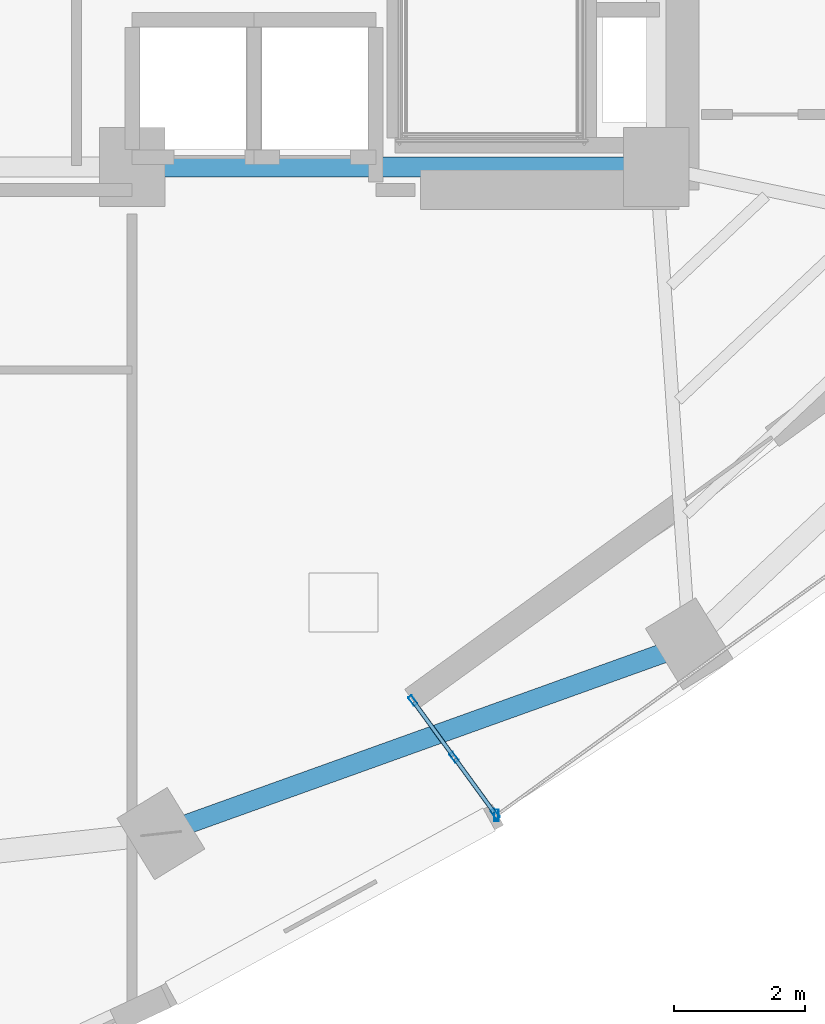
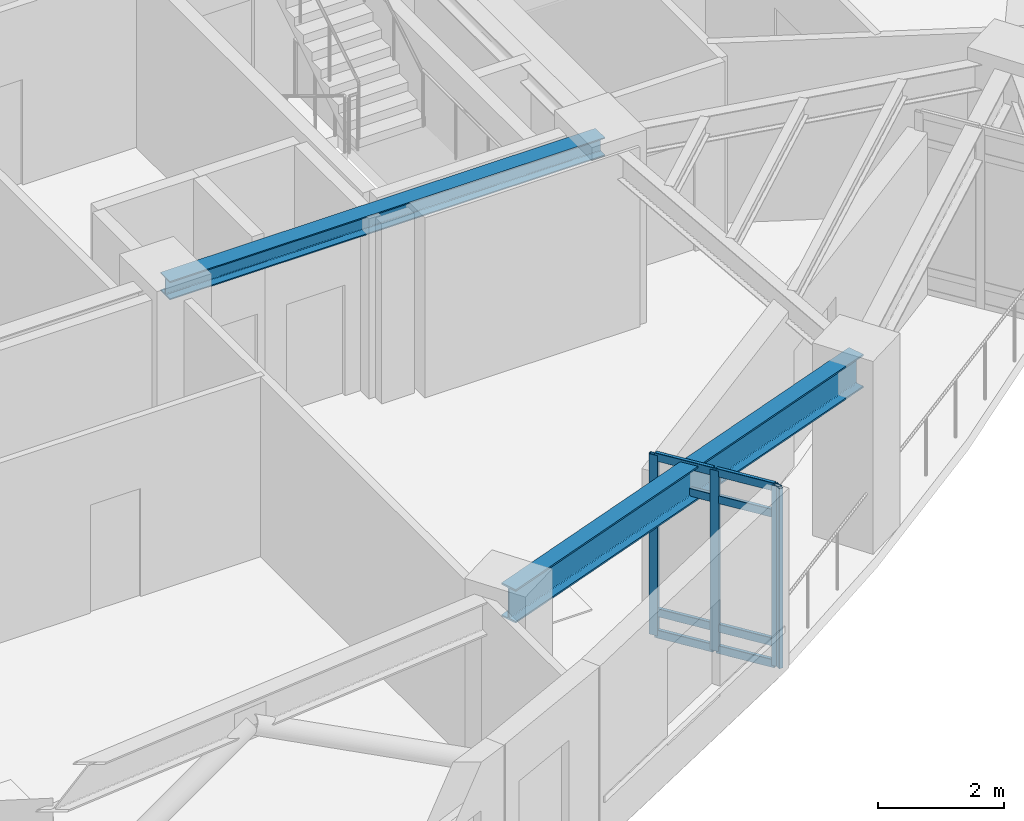
# One storey, part 2 of 12: 12 members, 2 beams, 1 element without a shape of its own.
"""IFC4 building model written with IfcOpenShell, lengths in metres."""

from ifc_helpers import new_model, si_unit, direction, frame, origin, origin_2d, place, context, subcontext, project, spatial, hollow_rectangle, i_section, extrude, material, layer, layer_set, material_profile, profile_set, type_object, element, aggregate, save


model = new_model("IFC4")

# Units and contexts
model_context = context("Model", 3, precision=1e-05, world=origin(), true_north=direction((0.0, 1.0)))
body_context = subcontext(model_context, "Body", "Model", "MODEL_VIEW")
ifc_project = project(units=[si_unit("LENGTHUNIT", "METRE"), si_unit("AREAUNIT", "SQUARE_METRE"), si_unit("VOLUMEUNIT", "CUBIC_METRE"), si_unit("PLANEANGLEUNIT", "RADIAN"), si_unit("MASSUNIT", "GRAM", prefix="KILO")], contexts=[model_context])

# Site, building, storey
site_placement = place(None, origin())
site = spatial("IfcSite", under=ifc_project, at=site_placement, CompositionType="ELEMENT")
building_placement = place(site_placement, origin())
building = spatial("IfcBuilding", under=site, at=building_placement, Name="Ndelora Gate Hotel", CompositionType="ELEMENT")
storey_placement = place(building_placement, frame((0.0, 0.0, 149.75)))
storey = spatial("IfcBuildingStorey", under=building, at=storey_placement, Name="L37", CompositionType="ELEMENT", Elevation=149.75)

# Beams
ifc_material_1 = material(Name="Steel S355", Category="steel")
ifc_material_profile_1 = material_profile(ifc_material_1, i_section(OverallWidth=0.300048828125, OverallDepth=0.360107421875, WebThickness=0.012451171875, FlangeThickness=0.0224609375, FilletRadius=0.027099609375, at=origin_2d()), Name="HEB 360")
ifc_profile_set_1 = profile_set([ifc_material_profile_1], Name="Steel S355")
beam_type_1 = type_object("IfcBeamType", Name="BM-CORE-360", PredefinedType="BEAM", material=ifc_profile_set_1)
beam_1_placement = place(storey_placement, frame((0.0, -6.60009765625, 3.320068359375), z_axis=(1.0, 0.0, 0.0), x_axis=(0.0, 1.0, 0.0)))
element("IfcBeam", 1, at=beam_1_placement, inside=storey, type_object=beam_type_1, Name="L37 Core Tie Girder CC2-CC3", PredefinedType="BEAM", context=body_context, shape_type="SweptSolid", body=[
    extrude(i_section(OverallWidth=0.300048828125, OverallDepth=0.360107421875, WebThickness=0.012451171875, FlangeThickness=0.0224609375, FilletRadius=0.027099609375, at=origin_2d()), origin(), (0.0, 0.0, 1.0), 8.0),
])
ifc_material_profile_2 = material_profile(ifc_material_1, i_section(OverallWidth=0.300048828125, OverallDepth=0.64990234375, WebThickness=0.01611328125, FlangeThickness=0.031005859375, FilletRadius=0.027099609375, at=origin_2d()), Name="HEB 650")
ifc_profile_set_2 = profile_set([ifc_material_profile_2], Name="Steel S355")
beam_type_2 = type_object("IfcBeamType", Name="BM-RING-650", PredefinedType="SPANDREL", material=ifc_profile_set_2)
beam_2_placement = place(storey_placement, frame((0.439208984375, -16.7744140625, 3.175048828125), z_axis=(0.941155870835, 0.337972819607, 0.0), x_axis=(-0.337972819607, 0.941155870835, 0.0)))
element("IfcBeam", 2, at=beam_2_placement, inside=storey, type_object=beam_type_2, Name="L37 Perimeter Spandrel Girder 6", PredefinedType="SPANDREL", context=body_context, shape_type="SweptSolid", body=[
    extrude(i_section(OverallWidth=0.300048828125, OverallDepth=0.64990234375, WebThickness=0.01611328125, FlangeThickness=0.031005859375, FilletRadius=0.027099609375, at=origin_2d()), origin(), (0.0, 0.0, 1.0), 8.5693359375),
])

# Curtain wall, members
ifc_material_2 = material(Name="Bronze Anodised Unitised Aluminium and Low-E Glass", Category="aluminium")
ifc_layer = layer(ifc_material_2, 0.199951171875)
ifc_layer_set = layer_set([ifc_layer], Name="Bronze Anodised Unitised Aluminium and Low-E Glass")
curtain_wall_type = type_object("IfcCurtainWallType", Name="CW-SYS-3", PredefinedType="NOTDEFINED", material=ifc_layer_set)
curtain_wall_placement = place(storey_placement, origin())
curtain_wall = element("IfcCurtainWall", 3, at=curtain_wall_placement, inside=storey, type_object=curtain_wall_type, Name="L37 Sky-Garden Loggia Side Curtain Wall CW3-1", PredefinedType="NOTDEFINED")
ifc_material_3 = material(Name="Bronze Anodised Aluminium 6063-T6", Category="aluminium")
ifc_material_profile_3 = material_profile(ifc_material_3, hollow_rectangle(XDim=0.06494140625, YDim=0.159912109375, WallThickness=0.00390625, InnerFilletRadius=0.00390625, OuterFilletRadius=0.008056640625, at=origin_2d()), Name="ALU 160x65x4")
ifc_profile_set_3 = profile_set([ifc_material_profile_3], Name="Bronze Anodised Aluminium 6063-T6")
member_type_1 = type_object("IfcMemberType", Name="MB-CW-MUL150", PredefinedType="MULLION", material=ifc_profile_set_3)
member_1_placement = place(storey_placement, frame((4.285400390625, -14.745361328125, -0.00390625), z_axis=(0.0, 0.0, 1.0), x_axis=(0.809017078969, 0.587785135859, 0.0)))
member_1 = element("IfcMember", 4, at=member_1_placement, type_object=member_type_1, Name="CW3 mullion 1", PredefinedType="MULLION", context=body_context, shape_type="SweptSolid", body=[
    extrude(hollow_rectangle(XDim=0.06494140625, YDim=0.159912109375, WallThickness=0.00390625, InnerFilletRadius=0.00390625, OuterFilletRadius=0.008056640625, at=origin_2d()), origin(), (0.0, 0.0, 1.0), 3.5078125),
])
member_2_placement = place(storey_placement, frame((4.912841796875, -15.60888671875, -0.00390625), z_axis=(0.0, 0.0, 1.0), x_axis=(0.809017078969, 0.587785135859, 0.0)))
member_2 = element("IfcMember", 5, at=member_2_placement, type_object=member_type_1, Name="CW3 mullion 2", PredefinedType="MULLION", context=body_context, shape_type="SweptSolid", body=[
    extrude(hollow_rectangle(XDim=0.06494140625, YDim=0.159912109375, WallThickness=0.00390625, InnerFilletRadius=0.00390625, OuterFilletRadius=0.008056640625, at=origin_2d()), origin(), (0.0, 0.0, 1.0), 3.5078125),
])
member_3_placement = place(storey_placement, frame((5.540283203125, -16.472412109375, -0.00390625), z_axis=(0.0, 0.0, 1.0), x_axis=(0.809017078969, 0.587785135859, 0.0)))
member_3 = element("IfcMember", 6, at=member_3_placement, type_object=member_type_1, Name="CW3 mullion 3", PredefinedType="MULLION", context=body_context, shape_type="SweptSolid", body=[
    extrude(hollow_rectangle(XDim=0.06494140625, YDim=0.159912109375, WallThickness=0.00390625, InnerFilletRadius=0.00390625, OuterFilletRadius=0.008056640625, at=origin_2d()), origin(), (0.0, 0.0, 1.0), 3.5078125),
])
ifc_material_profile_4 = material_profile(ifc_material_3, hollow_rectangle(XDim=0.070068359375, YDim=0.179931640625, WallThickness=0.0048828125, InnerFilletRadius=0.0048828125, OuterFilletRadius=0.010009765625, at=origin_2d()), Name="ALU 180x70x5")
ifc_profile_set_4 = profile_set([ifc_material_profile_4], Name="Bronze Anodised Aluminium 6063-T6")
member_type_2 = type_object("IfcMemberType", Name="MB-CW-MUL180", PredefinedType="MULLION", material=ifc_profile_set_4)
member_4_placement = place(storey_placement, frame((5.5595703125, -16.498779296875, 0.0), z_axis=(0.0, 0.0, 1.0), x_axis=(1.0, 0.0, 0.0)))
member_4 = element("IfcMember", 7, at=member_4_placement, type_object=member_type_2, Name="L37 Sky-Garden Loggia Corner Mullion Post 1", PredefinedType="MULLION", context=body_context, shape_type="SweptSolid", body=[
    extrude(hollow_rectangle(XDim=0.070068359375, YDim=0.179931640625, WallThickness=0.0048828125, InnerFilletRadius=0.0048828125, OuterFilletRadius=0.010009765625, at=origin_2d()), origin(), (0.0, 0.0, 1.0), 3.5),
])
ifc_material_profile_5 = material_profile(ifc_material_3, hollow_rectangle(XDim=0.06494140625, YDim=0.159912109375, WallThickness=0.00390625, InnerFilletRadius=0.00390625, OuterFilletRadius=0.008056640625, at=origin_2d()), Name="ALU 160x65x4")
ifc_profile_set_5 = profile_set([ifc_material_profile_5], Name="Bronze Anodised Aluminium 6063-T6")
member_type_3 = type_object("IfcMemberType", Name="MB-CW-TRN150", PredefinedType="USERDEFINED", material=ifc_profile_set_5)
member_5_placement = place(storey_placement, frame((4.301025390625, -14.766845703125, 0.032470703125), z_axis=(0.587957025258, -0.808892166145, 0.0), x_axis=(0.808892166145, 0.587957025258, 0.0)))
member_5 = element("IfcMember", 8, at=member_5_placement, type_object=member_type_3, Name="CW3 transom 1.1", ObjectType="TRANSOM", PredefinedType="USERDEFINED", context=body_context, shape_type="SweptSolid", body=[
    extrude(hollow_rectangle(XDim=0.06494140625, YDim=0.159912109375, WallThickness=0.00390625, InnerFilletRadius=0.00390625, OuterFilletRadius=0.008056640625, at=origin_2d()), origin(), (0.0, 0.0, 1.0), 1.014404296875),
])
member_6_placement = place(storey_placement, frame((4.301025390625, -14.766845703125, 0.449951171875), z_axis=(0.587957025258, -0.808892166145, 0.0), x_axis=(0.808892166145, 0.587957025258, 0.0)))
member_6 = element("IfcMember", 9, at=member_6_placement, type_object=member_type_3, Name="CW3 transom 1.2", ObjectType="TRANSOM", PredefinedType="USERDEFINED", context=body_context, shape_type="SweptSolid", body=[
    extrude(hollow_rectangle(XDim=0.06494140625, YDim=0.159912109375, WallThickness=0.00390625, InnerFilletRadius=0.00390625, OuterFilletRadius=0.008056640625, at=origin_2d()), origin(), (0.0, 0.0, 1.0), 1.014404296875),
])
member_7_placement = place(storey_placement, frame((4.301025390625, -14.766845703125, 2.949951171875), z_axis=(0.587957025258, -0.808892166145, 0.0), x_axis=(0.808892166145, 0.587957025258, 0.0)))
member_7 = element("IfcMember", 10, at=member_7_placement, type_object=member_type_3, Name="CW3 transom 1.3", ObjectType="TRANSOM", PredefinedType="USERDEFINED", context=body_context, shape_type="SweptSolid", body=[
    extrude(hollow_rectangle(XDim=0.06494140625, YDim=0.159912109375, WallThickness=0.00390625, InnerFilletRadius=0.00390625, OuterFilletRadius=0.008056640625, at=origin_2d()), origin(), (0.0, 0.0, 1.0), 1.014404296875),
])
member_8_placement = place(storey_placement, frame((4.301025390625, -14.766845703125, 3.467529296875), z_axis=(0.587957025258, -0.808892166145, 0.0), x_axis=(0.808892166145, 0.587957025258, 0.0)))
member_8 = element("IfcMember", 11, at=member_8_placement, type_object=member_type_3, Name="CW3 transom 1.4", ObjectType="TRANSOM", PredefinedType="USERDEFINED", context=body_context, shape_type="SweptSolid", body=[
    extrude(hollow_rectangle(XDim=0.06494140625, YDim=0.159912109375, WallThickness=0.00390625, InnerFilletRadius=0.00390625, OuterFilletRadius=0.008056640625, at=origin_2d()), origin(), (0.0, 0.0, 1.0), 1.014404296875),
])
member_9_placement = place(storey_placement, frame((4.928466796875, -15.63037109375, 0.032470703125), z_axis=(0.587842580444, -0.808975339931, 0.0), x_axis=(0.808975339931, 0.587842580444, 0.0)))
member_9 = element("IfcMember", 12, at=member_9_placement, type_object=member_type_3, Name="CW3 transom 2.1", ObjectType="TRANSOM", PredefinedType="USERDEFINED", context=body_context, shape_type="SweptSolid", body=[
    extrude(hollow_rectangle(XDim=0.06494140625, YDim=0.159912109375, WallThickness=0.00390625, InnerFilletRadius=0.00390625, OuterFilletRadius=0.008056640625, at=origin_2d()), origin(), (0.0, 0.0, 1.0), 1.0146484375),
])
member_10_placement = place(storey_placement, frame((4.928466796875, -15.63037109375, 0.449951171875), z_axis=(0.587842580444, -0.808975339931, 0.0), x_axis=(0.808975339931, 0.587842580444, 0.0)))
member_10 = element("IfcMember", 13, at=member_10_placement, type_object=member_type_3, Name="CW3 transom 2.2", ObjectType="TRANSOM", PredefinedType="USERDEFINED", context=body_context, shape_type="SweptSolid", body=[
    extrude(hollow_rectangle(XDim=0.06494140625, YDim=0.159912109375, WallThickness=0.00390625, InnerFilletRadius=0.00390625, OuterFilletRadius=0.008056640625, at=origin_2d()), origin(), (0.0, 0.0, 1.0), 1.0146484375),
])
member_11_placement = place(storey_placement, frame((4.928466796875, -15.63037109375, 2.949951171875), z_axis=(0.587842580444, -0.808975339931, 0.0), x_axis=(0.808975339931, 0.587842580444, 0.0)))
member_11 = element("IfcMember", 14, at=member_11_placement, type_object=member_type_3, Name="CW3 transom 2.3", ObjectType="TRANSOM", PredefinedType="USERDEFINED", context=body_context, shape_type="SweptSolid", body=[
    extrude(hollow_rectangle(XDim=0.06494140625, YDim=0.159912109375, WallThickness=0.00390625, InnerFilletRadius=0.00390625, OuterFilletRadius=0.008056640625, at=origin_2d()), origin(), (0.0, 0.0, 1.0), 1.0146484375),
])
member_12_placement = place(storey_placement, frame((4.928466796875, -15.63037109375, 3.467529296875), z_axis=(0.587842580444, -0.808975339931, 0.0), x_axis=(0.808975339931, 0.587842580444, 0.0)))
member_12 = element("IfcMember", 15, at=member_12_placement, type_object=member_type_3, Name="CW3 transom 2.4", ObjectType="TRANSOM", PredefinedType="USERDEFINED", context=body_context, shape_type="SweptSolid", body=[
    extrude(hollow_rectangle(XDim=0.06494140625, YDim=0.159912109375, WallThickness=0.00390625, InnerFilletRadius=0.00390625, OuterFilletRadius=0.008056640625, at=origin_2d()), origin(), (0.0, 0.0, 1.0), 1.0146484375),
])
aggregate(curtain_wall, [member_1, member_2, member_3, member_5, member_6, member_7, member_8, member_9, member_10, member_11, member_12, member_4])

save(model, "model.ifc")
